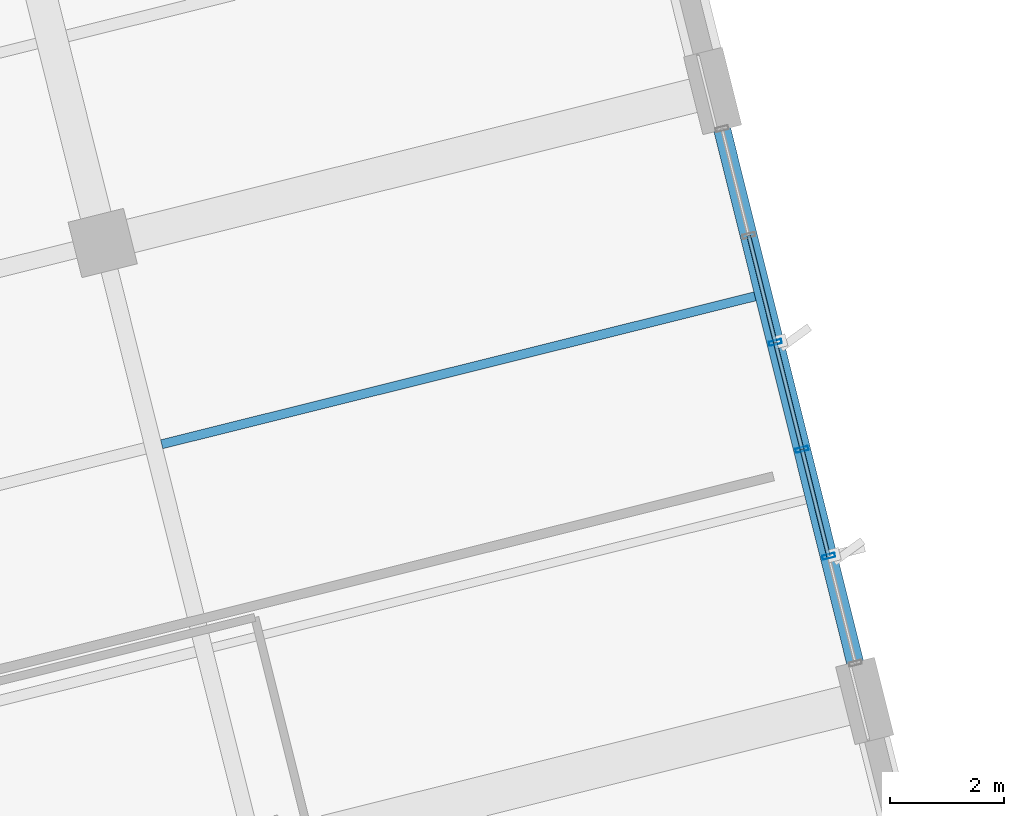
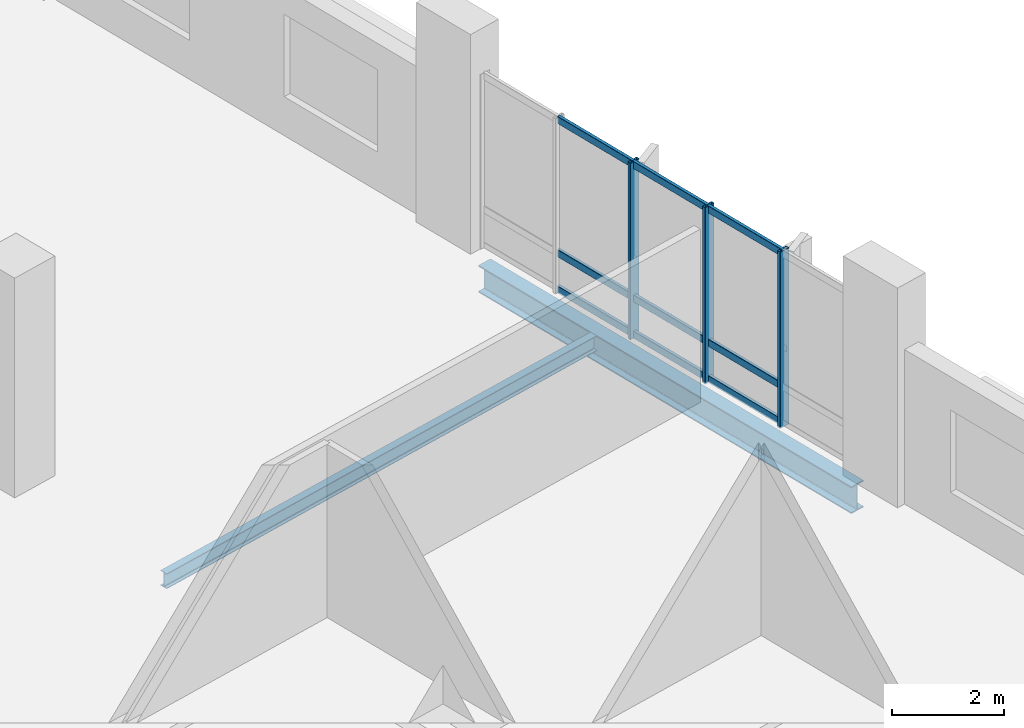
# One storey, part 97 of 137: 12 members, 2 beams, 1 element without a shape of its own.
"""IFC4 building model written with IfcOpenShell, lengths in metres."""

from ifc_helpers import new_model, si_unit, direction, frame, origin, origin_2d, place, context, subcontext, project, spatial, hollow_rectangle, i_section, extrude, material, layer, layer_set, material_profile, profile_set, type_object, element, aggregate, save


model = new_model("IFC4")

# Units and contexts
model_context = context("Model", 3, precision=1e-05, world=origin(), true_north=direction((0.0, 1.0)))
body_context = subcontext(model_context, "Body", "Model", "MODEL_VIEW")
ifc_project = project(units=[si_unit("LENGTHUNIT", "METRE"), si_unit("AREAUNIT", "SQUARE_METRE"), si_unit("VOLUMEUNIT", "CUBIC_METRE"), si_unit("PLANEANGLEUNIT", "RADIAN"), si_unit("MASSUNIT", "GRAM", prefix="KILO")], contexts=[model_context])

# Site, building, storey
site_placement = place(None, origin())
site = spatial("IfcSite", under=ifc_project, at=site_placement, CompositionType="ELEMENT")
building_placement = place(site_placement, origin())
building = spatial("IfcBuilding", under=site, at=building_placement, Name="Khorjan Park Terminus", CompositionType="ELEMENT")
storey_placement = place(building_placement, frame((0.0, 0.0, 11.4)))
storey = spatial("IfcBuildingStorey", under=building, at=storey_placement, Name="L02", CompositionType="ELEMENT", Elevation=11.4)

# Beams
ifc_material_1 = material(Name="Steel S355", Category="steel")
ifc_material_profile_1 = material_profile(ifc_material_1, i_section(OverallWidth=0.3, OverallDepth=0.59, WebThickness=0.013, FlangeThickness=0.025, FilletRadius=0.027, at=origin_2d()), Name="HEA 600")
ifc_profile_set_1 = profile_set([ifc_material_profile_1], Name="Steel S355")
beam_type_1 = type_object("IfcBeamType", Name="BM-HEA600", PredefinedType="BEAM", material=ifc_profile_set_1)
beam_1_placement = place(storey_placement, frame((219.2268, 61.3342, -0.635), z_axis=(-0.241923473335, 0.970295332901, 0.0), x_axis=(-0.970295332901, -0.241923473335, 0.0)))
element("IfcBeam", 1, at=beam_1_placement, inside=storey, type_object=beam_type_1, Name="Primary skew-grid floor girder SB-A60 (L02)", PredefinedType="BEAM", context=body_context, shape_type="SweptSolid", body=[
    extrude(i_section(OverallWidth=0.3, OverallDepth=0.59, WebThickness=0.013, FlangeThickness=0.025, FilletRadius=0.027, at=origin_2d()), origin(), (0.0, 0.0, 1.0), 9.6101),
])
ifc_material_profile_2 = material_profile(ifc_material_1, i_section(OverallWidth=0.16, OverallDepth=0.33, WebThickness=0.0075, FlangeThickness=0.0115, FilletRadius=0.018, at=origin_2d()), Name="IPE 330")
ifc_profile_set_2 = profile_set([ifc_material_profile_2], Name="Steel S355")
beam_type_2 = type_object("IfcBeamType", Name="JS-IPE330", PredefinedType="JOIST", material=ifc_profile_set_2)
beam_2_placement = place(storey_placement, frame((207.0932, 65.1505, -0.505), z_axis=(0.970296784962, 0.241917649404, 0.0), x_axis=(-0.241917649404, 0.970296784962, 0.0)))
element("IfcBeam", 2, at=beam_2_placement, inside=storey, type_object=beam_type_2, Name="Secondary composite floor joist SJ-33 (L02)", PredefinedType="JOIST", context=body_context, shape_type="SweptSolid", body=[
    extrude(i_section(OverallWidth=0.16, OverallDepth=0.33, WebThickness=0.0075, FlangeThickness=0.0115, FilletRadius=0.018, at=origin_2d()), origin(), (0.0, 0.0, 1.0), 10.6999),
])

# Curtain wall, members
ifc_material_2 = material(Name="Anodized Bronze Aluminium", Category="aluminium")
ifc_layer = layer(ifc_material_2, 0.22)
ifc_layer_set = layer_set([ifc_layer], Name="Anodized Bronze Aluminium")
curtain_wall_type = type_object("IfcCurtainWallType", Name="CW-OPS-B", PredefinedType="NOTDEFINED", material=ifc_layer_set)
curtain_wall_placement = place(storey_placement, origin())
curtain_wall = element("IfcCurtainWall", 3, at=curtain_wall_placement, inside=storey, type_object=curtain_wall_type, Name="Unitized curtain wall CW-B (CW-V5-E-L02-B05)", PredefinedType="NOTDEFINED")
ifc_material_profile_3 = material_profile(ifc_material_2, hollow_rectangle(XDim=0.075, YDim=0.225, WallThickness=0.005, InnerFilletRadius=0.005, OuterFilletRadius=0.01, at=origin_2d()), Name="ALM 75x225x5")
ifc_profile_set_3 = profile_set([ifc_material_profile_3], Name="Anodized Bronze Aluminium")
member_type_1 = type_object("IfcMemberType", Name="ML-ALM-225", PredefinedType="MULLION", material=ifc_profile_set_3)
member_1_placement = place(storey_placement, frame((218.7641, 63.1905, -0.035), z_axis=(0.0, 0.0, 1.0), x_axis=(-0.241935125171, 0.970292427678, 0.0)))
member_1 = element("IfcMember", 4, at=member_1_placement, type_object=member_type_1, Name="Curtain-wall mullion ML-22 (CW-V5-E-L02-B05-1)", PredefinedType="MULLION", context=body_context, shape_type="SweptSolid", body=[
    extrude(hollow_rectangle(XDim=0.075, YDim=0.225, WallThickness=0.005, InnerFilletRadius=0.005, OuterFilletRadius=0.01, at=origin_2d()), origin(), (0.0, 0.0, 1.0), 3.855),
])
member_2_placement = place(storey_placement, frame((218.2976, 65.0612, -0.035), z_axis=(0.0, 0.0, 1.0), x_axis=(-0.241935125171, 0.970292427678, 0.0)))
member_2 = element("IfcMember", 5, at=member_2_placement, type_object=member_type_1, Name="Curtain-wall mullion ML-22 (CW-V5-E-L02-B05-2)", PredefinedType="MULLION", context=body_context, shape_type="SweptSolid", body=[
    extrude(hollow_rectangle(XDim=0.075, YDim=0.225, WallThickness=0.005, InnerFilletRadius=0.005, OuterFilletRadius=0.01, at=origin_2d()), origin(), (0.0, 0.0, 1.0), 3.855),
])
member_3_placement = place(storey_placement, frame((217.8312, 66.9318, -0.035), z_axis=(0.0, 0.0, 1.0), x_axis=(-0.241935125171, 0.970292427678, 0.0)))
member_3 = element("IfcMember", 6, at=member_3_placement, type_object=member_type_1, Name="Curtain-wall mullion ML-22 (CW-V5-E-L02-B05-3)", PredefinedType="MULLION", context=body_context, shape_type="SweptSolid", body=[
    extrude(hollow_rectangle(XDim=0.075, YDim=0.225, WallThickness=0.005, InnerFilletRadius=0.005, OuterFilletRadius=0.01, at=origin_2d()), origin(), (0.0, 0.0, 1.0), 3.855),
])
ifc_material_profile_4 = material_profile(ifc_material_2, hollow_rectangle(XDim=0.07, YDim=0.16, WallThickness=0.004, InnerFilletRadius=0.004, OuterFilletRadius=0.008, at=origin_2d()), Name="ALT 70x160x4")
ifc_profile_set_4 = profile_set([ifc_material_profile_4], Name="Anodized Bronze Aluminium")
member_type_2 = type_object("IfcMemberType", Name="TR-ALT-160", PredefinedType="USERDEFINED", material=ifc_profile_set_4)
member_4_placement = place(storey_placement, frame((218.7641, 63.1905, 0.04), z_axis=(-0.241961988875, 0.97028572902, 0.0), x_axis=(-0.97028572902, -0.241961988875, 0.0)))
member_4 = element("IfcMember", 7, at=member_4_placement, type_object=member_type_2, Name="Curtain-wall transom TR-16 (CW-V5-E-L02-B05-1-1)", ObjectType="TRANSOM", PredefinedType="USERDEFINED", context=body_context, shape_type="SweptSolid", body=[
    extrude(hollow_rectangle(XDim=0.07, YDim=0.16, WallThickness=0.004, InnerFilletRadius=0.004, OuterFilletRadius=0.008, at=origin_2d()), origin(), (0.0, 0.0, 1.0), 1.928),
])
member_5_placement = place(storey_placement, frame((218.7641, 63.1905, 0.833), z_axis=(-0.241961988875, 0.97028572902, 0.0), x_axis=(-0.97028572902, -0.241961988875, 0.0)))
member_5 = element("IfcMember", 8, at=member_5_placement, type_object=member_type_2, Name="Curtain-wall transom TR-16 (CW-V5-E-L02-B05-1-2)", ObjectType="TRANSOM", PredefinedType="USERDEFINED", context=body_context, shape_type="SweptSolid", body=[
    extrude(hollow_rectangle(XDim=0.07, YDim=0.16, WallThickness=0.004, InnerFilletRadius=0.004, OuterFilletRadius=0.008, at=origin_2d()), origin(), (0.0, 0.0, 1.0), 1.928),
])
member_6_placement = place(storey_placement, frame((218.7641, 63.1905, 3.745), z_axis=(-0.241961988875, 0.97028572902, 0.0), x_axis=(-0.97028572902, -0.241961988875, 0.0)))
member_6 = element("IfcMember", 9, at=member_6_placement, type_object=member_type_2, Name="Curtain-wall transom TR-16 (CW-V5-E-L02-B05-1-3)", ObjectType="TRANSOM", PredefinedType="USERDEFINED", context=body_context, shape_type="SweptSolid", body=[
    extrude(hollow_rectangle(XDim=0.07, YDim=0.16, WallThickness=0.004, InnerFilletRadius=0.004, OuterFilletRadius=0.008, at=origin_2d()), origin(), (0.0, 0.0, 1.0), 1.928),
])
member_7_placement = place(storey_placement, frame((218.2976, 65.0612, 0.04), z_axis=(-0.241925332546, 0.970294869342, 0.0), x_axis=(-0.970294869342, -0.241925332546, 0.0)))
member_7 = element("IfcMember", 10, at=member_7_placement, type_object=member_type_2, Name="Curtain-wall transom TR-16 (CW-V5-E-L02-B05-2-1)", ObjectType="TRANSOM", PredefinedType="USERDEFINED", context=body_context, shape_type="SweptSolid", body=[
    extrude(hollow_rectangle(XDim=0.07, YDim=0.16, WallThickness=0.004, InnerFilletRadius=0.004, OuterFilletRadius=0.008, at=origin_2d()), origin(), (0.0, 0.0, 1.0), 1.9279),
])
member_8_placement = place(storey_placement, frame((218.2976, 65.0612, 0.833), z_axis=(-0.241925332546, 0.970294869342, 0.0), x_axis=(-0.970294869342, -0.241925332546, 0.0)))
member_8 = element("IfcMember", 11, at=member_8_placement, type_object=member_type_2, Name="Curtain-wall transom TR-16 (CW-V5-E-L02-B05-2-2)", ObjectType="TRANSOM", PredefinedType="USERDEFINED", context=body_context, shape_type="SweptSolid", body=[
    extrude(hollow_rectangle(XDim=0.07, YDim=0.16, WallThickness=0.004, InnerFilletRadius=0.004, OuterFilletRadius=0.008, at=origin_2d()), origin(), (0.0, 0.0, 1.0), 1.9279),
])
member_9_placement = place(storey_placement, frame((218.2976, 65.0612, 3.745), z_axis=(-0.241925332546, 0.970294869342, 0.0), x_axis=(-0.970294869342, -0.241925332546, 0.0)))
member_9 = element("IfcMember", 12, at=member_9_placement, type_object=member_type_2, Name="Curtain-wall transom TR-16 (CW-V5-E-L02-B05-2-3)", ObjectType="TRANSOM", PredefinedType="USERDEFINED", context=body_context, shape_type="SweptSolid", body=[
    extrude(hollow_rectangle(XDim=0.07, YDim=0.16, WallThickness=0.004, InnerFilletRadius=0.004, OuterFilletRadius=0.008, at=origin_2d()), origin(), (0.0, 0.0, 1.0), 1.9279),
])
member_10_placement = place(storey_placement, frame((217.8312, 66.9318, 0.04), z_axis=(-0.241961988875, 0.97028572902, 0.0), x_axis=(-0.97028572902, -0.241961988875, 0.0)))
member_10 = element("IfcMember", 13, at=member_10_placement, type_object=member_type_2, Name="Curtain-wall transom TR-16 (CW-V5-E-L02-B05-3-1)", ObjectType="TRANSOM", PredefinedType="USERDEFINED", context=body_context, shape_type="SweptSolid", body=[
    extrude(hollow_rectangle(XDim=0.07, YDim=0.16, WallThickness=0.004, InnerFilletRadius=0.004, OuterFilletRadius=0.008, at=origin_2d()), origin(), (0.0, 0.0, 1.0), 1.928),
])
member_11_placement = place(storey_placement, frame((217.8312, 66.9318, 0.833), z_axis=(-0.241961988875, 0.97028572902, 0.0), x_axis=(-0.97028572902, -0.241961988875, 0.0)))
member_11 = element("IfcMember", 14, at=member_11_placement, type_object=member_type_2, Name="Curtain-wall transom TR-16 (CW-V5-E-L02-B05-3-2)", ObjectType="TRANSOM", PredefinedType="USERDEFINED", context=body_context, shape_type="SweptSolid", body=[
    extrude(hollow_rectangle(XDim=0.07, YDim=0.16, WallThickness=0.004, InnerFilletRadius=0.004, OuterFilletRadius=0.008, at=origin_2d()), origin(), (0.0, 0.0, 1.0), 1.928),
])
member_12_placement = place(storey_placement, frame((217.8312, 66.9318, 3.745), z_axis=(-0.241961988875, 0.97028572902, 0.0), x_axis=(-0.97028572902, -0.241961988875, 0.0)))
member_12 = element("IfcMember", 15, at=member_12_placement, type_object=member_type_2, Name="Curtain-wall transom TR-16 (CW-V5-E-L02-B05-3-3)", ObjectType="TRANSOM", PredefinedType="USERDEFINED", context=body_context, shape_type="SweptSolid", body=[
    extrude(hollow_rectangle(XDim=0.07, YDim=0.16, WallThickness=0.004, InnerFilletRadius=0.004, OuterFilletRadius=0.008, at=origin_2d()), origin(), (0.0, 0.0, 1.0), 1.928),
])
aggregate(curtain_wall, [member_1, member_2, member_3, member_4, member_5, member_6, member_7, member_8, member_9, member_10, member_11, member_12])

save(model, "model.ifc")
